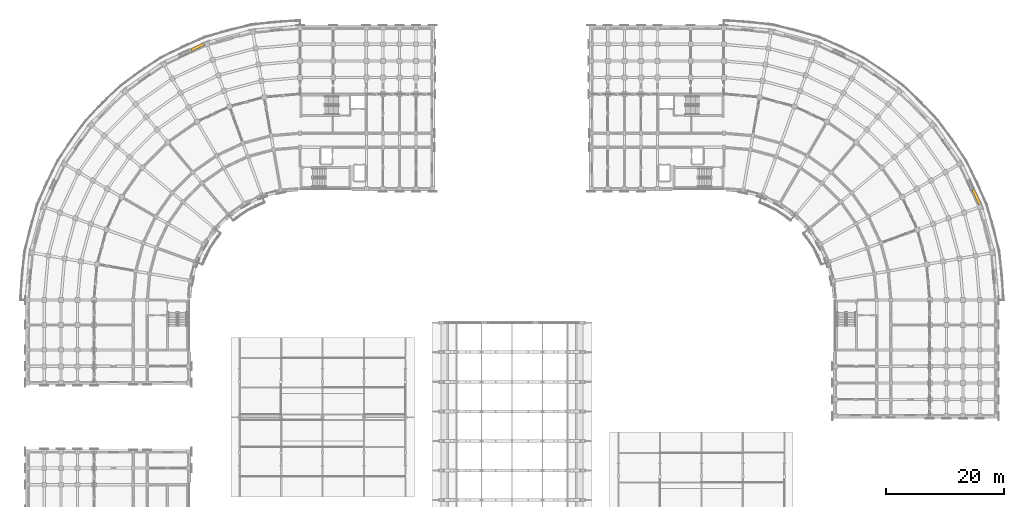
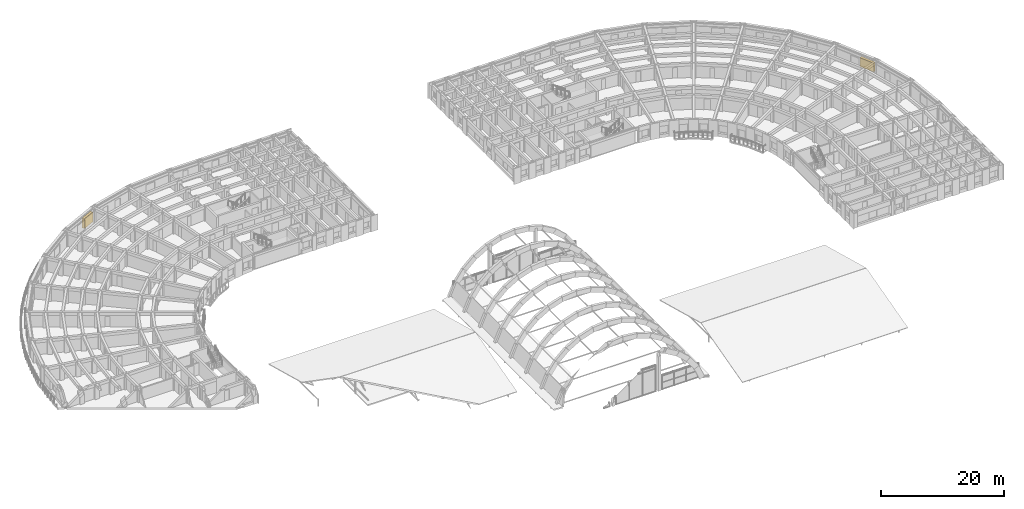
# One storey, part 74 of 76: 2 coverings.
"""IFC4 building model written with IfcOpenShell, lengths in metres."""

from ifc_helpers import new_model, si_unit, direction, frame, origin, place, context, subcontext, project, spatial, polyline, outline, extrude, material, layer, layer_set, type_object, element, save


model = new_model("IFC4")

# Units and contexts
model_context = context("Model", 3, precision=1e-05, world=origin(), true_north=direction((0.0, 1.0)))
body_context = subcontext(model_context, "Body", "Model", "MODEL_VIEW")
ifc_project = project(units=[si_unit("LENGTHUNIT", "METRE"), si_unit("AREAUNIT", "SQUARE_METRE"), si_unit("VOLUMEUNIT", "CUBIC_METRE"), si_unit("PLANEANGLEUNIT", "RADIAN"), si_unit("MASSUNIT", "GRAM", prefix="KILO")], contexts=[model_context])

# Site, building, storey
site_placement = place(None, origin())
site = spatial("IfcSite", under=ifc_project, at=site_placement, CompositionType="ELEMENT")
building_placement = place(site_placement, origin())
building = spatial("IfcBuilding", under=site, at=building_placement, Name="Kiranvali Square Residences", CompositionType="ELEMENT")
storey_placement = place(building_placement, frame((0.0, 0.0, 8.699951171875)))
storey = spatial("IfcBuildingStorey", under=building, at=storey_placement, Name="L02", CompositionType="ELEMENT", Elevation=8.699951171875)

# Coverings
ifc_material = material(Name="Honed Porbandar limestone ashlar facade cladding", Category="masonry")
ifc_layer = layer(ifc_material, 0.3798828125)
ifc_layer_set = layer_set([ifc_layer], Name="Honed Porbandar limestone ashlar facade cladding")
covering_type = type_object("IfcCoveringType", Name="COV-CLAD-JAMB", PredefinedType="CLADDING", material=ifc_layer_set)
covering_1_placement = place(storey_placement, frame((0.0, 0.0, 0.322021484375)))
element("IfcCovering", 1, at=covering_1_placement, inside=storey, type_object=covering_type, Name="L02 deep limestone window jamb reveal A-L02-CRV-02.L", PredefinedType="CLADDING", context=body_context, shape_type="SweptSolid", body=[
    extrude(outline(polyline([(31.86474609375, 131.252685546875), (29.7041015625, 130.244873046875), (29.898193359375, 129.82861328125), (32.05908203125, 130.836181640625), (31.86474609375, 131.252685546875)])), origin(), (0.0, 0.0, 1.0), 1.949951171875),
])
covering_2_placement = place(storey_placement, frame((0.0, 0.0, 0.52197265625)))
element("IfcCovering", 2, at=covering_2_placement, inside=storey, type_object=covering_type, Name="L02 deep limestone window jamb reveal B-L02-CRV-06.R", PredefinedType="CLADDING", context=body_context, shape_type="SweptSolid", body=[
    extrude(outline(polyline([(161.70166015625, 106.373779296875), (162.836181640625, 103.94091796875), (163.252685546875, 104.13525390625), (162.1181640625, 106.56787109375), (161.70166015625, 106.373779296875)])), origin(), (0.0, 0.0, 1.0), 1.75),
])

save(model, "model.ifc")
